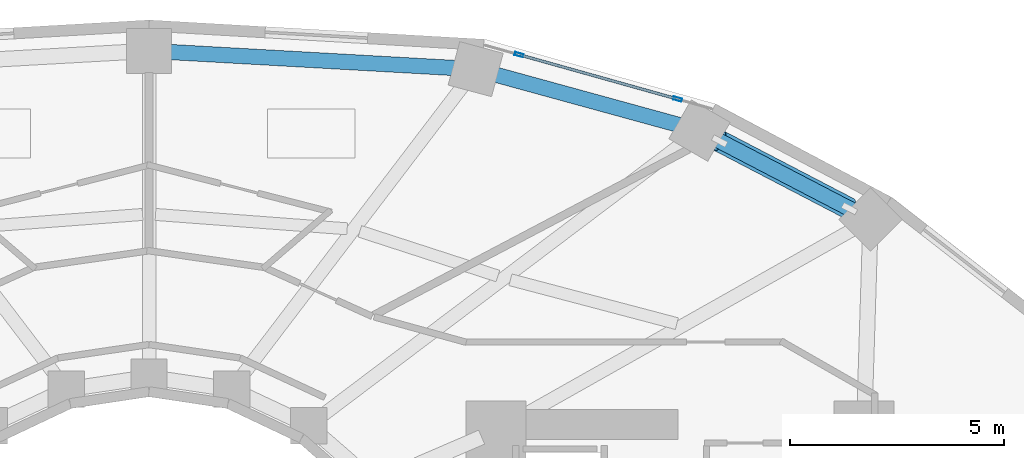
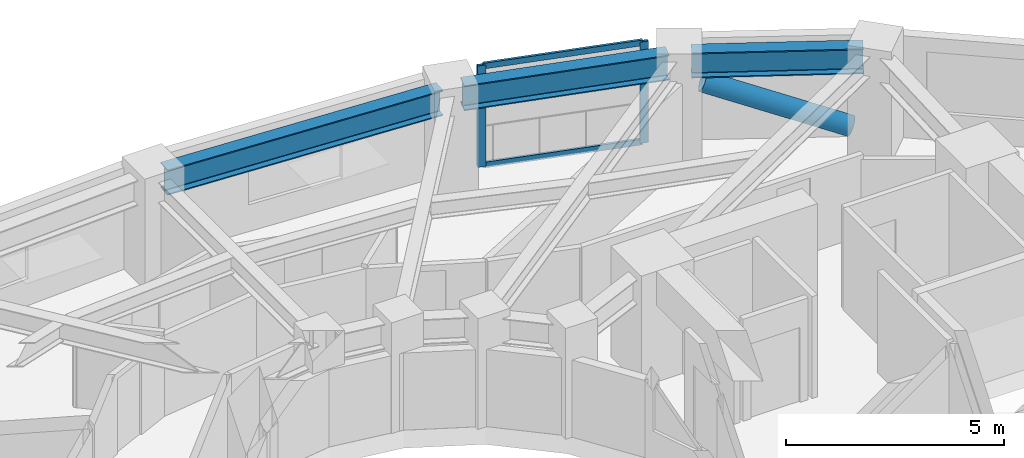
# One storey, part 9 of 18: 5 members, 3 beams, 1 element without a shape of its own.
"""IFC4 building model written with IfcOpenShell, lengths in metres."""

import ifcopenshell
import ifcopenshell.guid

model = None  # the IFC model being written
_history = None  # IfcOwnerHistory: only IFC2X3 demands one
_inside = {}  # id of a spatial element -> (the spatial element, [elements in it])
_under = {}  # id of a project, library or spatial element -> (it, [spatial elements below it])
_declared = {}  # id of a project -> (the project, [libraries it declares])
_typed = {}  # id of a type object -> (the type object, [elements of that type])
_made_of = {}  # id of a material, layer set ... -> (it, [elements and type objects made of it])


def new_model(schema):
    """Start an empty IFC model of exactly this schema.

    Asked for "IFC4X3", IfcOpenShell would pick the latest addendum, in which some entities
    have other attributes; the version numbers below select the first issue.
    IFC2X3 requires an IfcOwnerHistory on every rooted entity: one is made here for all.
    """
    global model, _history
    if schema == "IFC4X3":
        model = ifcopenshell.file(schema_version=(4, 3, 0, 0))
    else:
        model = ifcopenshell.file(schema=schema)
    _inside.clear()
    _under.clear()
    _declared.clear()
    _typed.clear()
    _made_of.clear()
    _history = None
    if model.schema == "IFC2X3":
        org = make("IfcOrganization", Name="unknown")
        user = make(
            "IfcPersonAndOrganization",
            ThePerson=make("IfcPerson", FamilyName="unknown"),
            TheOrganization=org,
        )
        app = make(
            "IfcApplication",
            ApplicationDeveloper=org,
            Version="unknown",
            ApplicationFullName="unknown",
            ApplicationIdentifier="unknown",
        )
        _history = make(
            "IfcOwnerHistory",
            OwningUser=user,
            OwningApplication=app,
            ChangeAction="ADDED",
            CreationDate=0,
        )
    return model


def make(cls, **values):
    """One entity of the class cls with the attributes given. An attribute that is None is left unset."""
    return model.create_entity(
        cls, **{name: value for name, value in values.items() if value is not None}
    )


def rooted(cls, **values):
    """An entity with a GlobalId (a new one), such as an element, a storey or a relation."""
    return make(cls, GlobalId=ifcopenshell.guid.new(), OwnerHistory=_history, **values)


def si_unit(unit_type, name, prefix=None):
    """IfcSIUnit, for example si_unit("LENGTHUNIT", "METRE", prefix="MILLI")."""
    return make("IfcSIUnit", UnitType=unit_type, Prefix=prefix, Name=name)


def assignment(units):
    """IfcUnitAssignment: the units of a project."""
    return None if units is None else make("IfcUnitAssignment", Units=units)


def point(xyz):
    """IfcCartesianPoint."""
    return None if xyz is None else make("IfcCartesianPoint", Coordinates=xyz)


def direction(xyz):
    """IfcDirection."""
    return None if xyz is None else make("IfcDirection", DirectionRatios=xyz)


def frame(location, z_axis=None, x_axis=None):
    """IfcAxis2Placement3D, a coordinate frame: its origin and axes. An axis left out is left unset."""
    return make(
        "IfcAxis2Placement3D",
        Location=point(location),
        Axis=direction(z_axis),
        RefDirection=direction(x_axis),
    )


def frame_2d(location, x_axis=None):
    """IfcAxis2Placement2D, a coordinate frame in the plane: its origin and x axis."""
    return make(
        "IfcAxis2Placement2D", Location=point(location), RefDirection=direction(x_axis)
    )


def origin():
    """The frame at (0, 0, 0) with its axes left unset."""
    return frame((0.0, 0.0, 0.0))


def origin_2d():
    """The frame at (0, 0) in the plane with its x axis left unset."""
    return frame_2d((0.0, 0.0))


def place(relative_to, where):
    """IfcLocalPlacement: puts the frame where relative to a parent placement (None: the world)."""
    return make(
        "IfcLocalPlacement", PlacementRelTo=relative_to, RelativePlacement=where
    )


def context(
    kind, dimensions, precision=None, world=None, true_north=None, identifier=None
):
    """IfcGeometricRepresentationContext, for example the 3D "Model" context."""
    return make(
        "IfcGeometricRepresentationContext",
        ContextIdentifier=identifier,
        ContextType=kind,
        CoordinateSpaceDimension=dimensions,
        Precision=precision,
        WorldCoordinateSystem=world,
        TrueNorth=true_north,
    )


def subcontext(parent, identifier, kind, view, scale=None):
    """IfcGeometricRepresentationSubContext, for example "Body" below "Model"."""
    return make(
        "IfcGeometricRepresentationSubContext",
        ContextIdentifier=identifier,
        ContextType=kind,
        ParentContext=parent,
        TargetScale=scale,
        TargetView=view,
    )


def project(units=None, contexts=None):
    """IfcProject with its units and contexts."""
    return rooted(
        "IfcProject",
        Name="project",
        RepresentationContexts=contexts,
        UnitsInContext=assignment(units),
    )


def spatial(cls, under=None, at=None, **own):
    """A site, building, storey or space (cls), placed at a placement, below another one or the project."""
    s = rooted(cls, ObjectPlacement=at, **own)
    if under is not None:
        _under.setdefault(under.id(), (under, []))[1].append(s)
    return s


def profile(cls, at=None, kind="AREA", **sizes):
    """A parametric profile (cls). Its sizes go by their IFC names, for example OverallWidth=200.0."""
    return make(cls, ProfileType=kind, Position=at, **sizes)


def hollow_rectangle(**sizes):
    """IfcRectangleHollowProfileDef."""
    return profile("IfcRectangleHollowProfileDef", **sizes)


def hollow_circle(**sizes):
    """IfcCircleHollowProfileDef."""
    return profile("IfcCircleHollowProfileDef", **sizes)


def i_section(**sizes):
    """IfcIShapeProfileDef."""
    return profile("IfcIShapeProfileDef", **sizes)


def extrude(swept, where, along, depth):
    """IfcExtrudedAreaSolid: the profile swept, set in the frame where, extruded along a direction by depth."""
    return make(
        "IfcExtrudedAreaSolid",
        SweptArea=swept,
        Position=where,
        ExtrudedDirection=direction(along),
        Depth=depth,
    )


def shape(context_of_items, identifier, shape_type, items):
    """IfcShapeRepresentation: the items that make up one representation, for example the "Body"."""
    return make(
        "IfcShapeRepresentation",
        ContextOfItems=context_of_items,
        RepresentationIdentifier=identifier,
        RepresentationType=shape_type,
        Items=items,
    )


def material(Name=None, Category=None):
    """IfcMaterial."""
    return make("IfcMaterial", Name=Name, Category=Category)


def layer(
    of_material, thickness, ventilated=None, Name=None, Category=None, Priority=None
):
    """IfcMaterialLayer: one layer of a wall or slab, of a material (None: an air gap)."""
    return make(
        "IfcMaterialLayer",
        Material=of_material,
        LayerThickness=thickness,
        IsVentilated=ventilated,
        Name=Name,
        Category=Category,
        Priority=Priority,
    )


def layer_set(layers, Name=None):
    """IfcMaterialLayerSet."""
    return make("IfcMaterialLayerSet", MaterialLayers=layers, LayerSetName=Name)


def material_profile(
    of_material, cross_section, Name=None, Category=None, Priority=None
):
    """IfcMaterialProfile: a cross section and its material."""
    return make(
        "IfcMaterialProfile",
        Name=Name,
        Material=of_material,
        Profile=cross_section,
        Priority=Priority,
        Category=Category,
    )


def profile_set(profiles, Name=None, composite=None):
    """IfcMaterialProfileSet."""
    return make(
        "IfcMaterialProfileSet",
        Name=Name,
        MaterialProfiles=profiles,
        CompositeProfile=composite,
    )


def made_of(thing, what):
    """Note that an element or type object is made of a material, layer set ...; save() writes the relation."""
    if what is not None:
        _made_of.setdefault(what.id(), (what, []))[1].append(thing)
    return thing


def type_object(cls, material=None, **own):
    """A type object (cls), such as IfcWallType, which elements share."""
    return made_of(rooted(cls, **own), material)


def element(
    cls,
    number,
    at=None,
    inside=None,
    cuts=None,
    type_object=None,
    material=None,
    context=None,
    identifier="Body",
    shape_type=None,
    held_by="IfcProductDefinitionShape",
    body=None,
    shapes=None,
    **own,
):
    """One element of the class cls, such as IfcWall. Its Tag is "e" and its number.

    at: its placement. inside: the storey or other place that contains it. cuts: it is an
    opening in that element (IfcRelVoidsElement). A single representation is given by context,
    identifier, shape_type and body (its items); several are given by shapes. held_by: the class
    of the entity that holds the representations. save() writes the other relations.
    """
    e = rooted(cls, Tag="e%d" % number, ObjectPlacement=at, **own)
    if body is not None:
        shapes = [shape(context, identifier, shape_type, body)]
    if shapes is not None:
        e.Representation = make(held_by, Representations=shapes)
    if inside is not None:
        _inside.setdefault(inside.id(), (inside, []))[1].append(e)
    if cuts is not None:
        rooted(
            "IfcRelVoidsElement", RelatingBuildingElement=cuts, RelatedOpeningElement=e
        )
    if type_object is not None:
        _typed.setdefault(type_object.id(), (type_object, []))[1].append(e)
    return made_of(e, material)


def aggregate(whole, parts):
    """IfcRelAggregates: a whole, such as a stair, and the parts it consists of."""
    return rooted("IfcRelAggregates", RelatingObject=whole, RelatedObjects=parts)


def save(model, path):
    """Write the relations noted so far, then the file.

    IfcRelAggregates (storeys below a building ...), IfcRelContainedInSpatialStructure (elements
    in a storey), IfcRelDefinesByType, IfcRelAssociatesMaterial and IfcRelDeclares: one each for
    every whole, place, type object, material and project.
    """
    for whole, parts in _under.values():
        aggregate(whole, parts)
    for where, things in _inside.values():
        rooted(
            "IfcRelContainedInSpatialStructure",
            RelatedElements=things,
            RelatingStructure=where,
        )
    for kind, things in _typed.values():
        rooted("IfcRelDefinesByType", RelatedObjects=things, RelatingType=kind)
    for what, things in _made_of.values():
        rooted("IfcRelAssociatesMaterial", RelatedObjects=things, RelatingMaterial=what)
    for by, libraries in _declared.values():
        rooted("IfcRelDeclares", RelatingContext=by, RelatedDefinitions=libraries)
    model.write(path)


model = new_model("IFC4")

# Units and contexts
model_context = context("Model", 3, precision=1e-05, world=origin(), true_north=direction((0.0, 1.0)))
body_context = subcontext(model_context, "Body", "Model", "MODEL_VIEW")
ifc_project = project(units=[si_unit("LENGTHUNIT", "METRE"), si_unit("AREAUNIT", "SQUARE_METRE"), si_unit("VOLUMEUNIT", "CUBIC_METRE"), si_unit("PLANEANGLEUNIT", "RADIAN"), si_unit("MASSUNIT", "GRAM", prefix="KILO")], contexts=[model_context])

# Site, building, storey
site_placement = place(None, origin())
site = spatial("IfcSite", under=ifc_project, at=site_placement, CompositionType="ELEMENT")
building_placement = place(site_placement, origin())
building = spatial("IfcBuilding", under=site, at=building_placement, Name="Solvane Sanctuary Tower", CompositionType="ELEMENT")
storey_placement = place(building_placement, frame((0.0, 0.0, 94.89990234375)))
storey = spatial("IfcBuildingStorey", under=building, at=storey_placement, Name="L28", CompositionType="ELEMENT", Elevation=94.89990234375)

# Beams
ifc_material_1 = material(Name="Steel ASTM A992 Grade 50", Category="steel")
ifc_material_profile_1 = material_profile(ifc_material_1, i_section(OverallWidth=0.35791015625, OverallDepth=0.7060546875, WebThickness=0.018310546875, FlangeThickness=0.0302734375, FilletRadius=0.01806640625, at=origin_2d()), Name="W27X178")
ifc_profile_set_1 = profile_set([ifc_material_profile_1], Name="Steel ASTM A992 Grade 50")
beam_type = type_object("IfcBeamType", Name="Beam B-SPAND-Z2 W27X178", PredefinedType="SPANDREL", material=ifc_profile_set_1)
beam_1_placement = place(storey_placement, frame((32.279541015625, 39.064208984375, 2.525146484375), z_axis=(0.998431364179, -0.055989383129, 0.0), x_axis=(0.055989383129, 0.998431364179, 0.0)))
element("IfcBeam", 1, at=beam_1_placement, inside=storey, type_object=beam_type, Name="L28 Perimeter Spandrel Beam TC04-TC03", PredefinedType="SPANDREL", context=body_context, shape_type="SweptSolid", body=[
    extrude(i_section(OverallWidth=0.35791015625, OverallDepth=0.7060546875, WebThickness=0.018310546875, FlangeThickness=0.0302734375, FilletRadius=0.01806640625, at=origin_2d()), origin(), (0.0, 0.0, 1.0), 7.081298828125),
])
beam_2_placement = place(storey_placement, frame((39.8994140625, 38.577880859375, 2.525146484375), z_axis=(0.964367605241, -0.26456591232, 0.0), x_axis=(0.26456591232, 0.964367605241, 0.0)))
element("IfcBeam", 2, at=beam_2_placement, inside=storey, type_object=beam_type, Name="L28 Perimeter Spandrel Beam TC03-TC02", PredefinedType="SPANDREL", context=body_context, shape_type="SweptSolid", body=[
    extrude(i_section(OverallWidth=0.35791015625, OverallDepth=0.7060546875, WebThickness=0.018310546875, FlangeThickness=0.0302734375, FilletRadius=0.01806640625, at=origin_2d()), origin(), (0.0, 0.0, 1.0), 4.8623046875),
])
beam_3_placement = place(storey_placement, frame((45.106689453125, 37.088134765625, 2.525146484375), z_axis=(0.887014995188, -0.461740618002, 0.0), x_axis=(0.461740618002, 0.887014995188, 0.0)))
element("IfcBeam", 3, at=beam_3_placement, inside=storey, type_object=beam_type, Name="L28 Perimeter Spandrel Beam TC02-TC01", PredefinedType="SPANDREL", context=body_context, shape_type="SweptSolid", body=[
    extrude(i_section(OverallWidth=0.35791015625, OverallDepth=0.7060546875, WebThickness=0.018310546875, FlangeThickness=0.0302734375, FilletRadius=0.01806640625, at=origin_2d()), origin(), (0.0, 0.0, 1.0), 3.943359375),
])

# Curtain wall, members
ifc_material_2 = material(Name="Anodised Aluminium 6063-T6", Category="aluminium")
ifc_layer = layer(ifc_material_2, 0.179931640625, Name="Anodised Aluminium 6063-T6")
ifc_layer_set = layer_set([ifc_layer], Name="Anodised Aluminium 6063-T6")
curtain_wall_type = type_object("IfcCurtainWallType", Name="Curtain Wall CW-FRIT-Z2", PredefinedType="NOTDEFINED", material=ifc_layer_set)
curtain_wall_placement = place(storey_placement, origin())
curtain_wall = element("IfcCurtainWall", 4, at=curtain_wall_placement, inside=storey, type_object=curtain_wall_type, Name="L28 CW-FRIT-Z2 Facade Run 04", PredefinedType="NOTDEFINED")
ifc_material_profile_2 = material_profile(ifc_material_2, hollow_rectangle(XDim=0.074951171875, YDim=0.199951171875, WallThickness=0.00390625, at=origin_2d()), Name="ALU200X75X4")
ifc_profile_set_2 = profile_set([ifc_material_profile_2], Name="Anodised Aluminium 6063-T6")
member_type_1 = type_object("IfcMemberType", Name="Member M-CW-MUL-1 ALU200X75X4", PredefinedType="MULLION", material=ifc_profile_set_2)
member_1_placement = place(storey_placement, frame((44.34765625, 37.952392578125, 0.0), z_axis=(0.0, 0.0, 1.0), x_axis=(-0.269704615814, -0.962943103308, 0.0)))
member_1 = element("IfcMember", 5, at=member_1_placement, type_object=member_type_1, Name="CW-FRIT-Z2 mullion 1", PredefinedType="MULLION", context=body_context, shape_type="SweptSolid", body=[
    extrude(hollow_rectangle(XDim=0.074951171875, YDim=0.199951171875, WallThickness=0.00390625, at=origin_2d()), origin(), (0.0, 0.0, 1.0), 2.840087890625),
])
member_2_placement = place(storey_placement, frame((40.64208984375, 38.990478515625, 0.0), z_axis=(0.0, 0.0, 1.0), x_axis=(-0.269704615814, -0.962943103308, 0.0)))
member_2 = element("IfcMember", 6, at=member_2_placement, type_object=member_type_1, Name="CW-FRIT-Z2 mullion 2", PredefinedType="MULLION", context=body_context, shape_type="SweptSolid", body=[
    extrude(hollow_rectangle(XDim=0.074951171875, YDim=0.199951171875, WallThickness=0.00390625, at=origin_2d()), origin(), (0.0, 0.0, 1.0), 2.840087890625),
])
ifc_material_profile_3 = material_profile(ifc_material_2, hollow_rectangle(XDim=0.06494140625, YDim=0.159912109375, WallThickness=0.00341796875, at=origin_2d()), Name="ALU160X65X3.5")
ifc_profile_set_3 = profile_set([ifc_material_profile_3], Name="Anodised Aluminium 6063-T6")
member_type_2 = type_object("IfcMemberType", Name="Member M-CW-TRN-1 ALU160X65X3.5", PredefinedType="USERDEFINED", material=ifc_profile_set_3)
member_3_placement = place(storey_placement, frame((44.3115234375, 37.962646484375, 0.03271484375), z_axis=(-0.9629465453, 0.269692326355, 0.0), x_axis=(-0.269692326355, -0.9629465453, 0.0)))
member_3 = element("IfcMember", 7, at=member_3_placement, type_object=member_type_2, Name="CW-FRIT-Z2 transom 1.1", ObjectType="TRANSOM", PredefinedType="USERDEFINED", context=body_context, shape_type="SweptSolid", body=[
    extrude(hollow_rectangle(XDim=0.06494140625, YDim=0.159912109375, WallThickness=0.00341796875, at=origin_2d()), origin(), (0.0, 0.0, 1.0), 3.773193359375),
])
member_4_placement = place(storey_placement, frame((44.3115234375, 37.962646484375, 2.8076171875), z_axis=(-0.9629465453, 0.269692326355, 0.0), x_axis=(-0.269692326355, -0.9629465453, 0.0)))
member_4 = element("IfcMember", 8, at=member_4_placement, type_object=member_type_2, Name="CW-FRIT-Z2 transom 1.2", ObjectType="TRANSOM", PredefinedType="USERDEFINED", context=body_context, shape_type="SweptSolid", body=[
    extrude(hollow_rectangle(XDim=0.06494140625, YDim=0.159912109375, WallThickness=0.00341796875, at=origin_2d()), origin(), (0.0, 0.0, 1.0), 3.773193359375),
])
aggregate(curtain_wall, [member_1, member_2, member_3, member_4])

# Member
ifc_material_profile_4 = material_profile(ifc_material_1, hollow_circle(Radius=0.25390625, WallThickness=0.01611328125, at=origin_2d()), Name="CHS508X16")
ifc_profile_set_4 = profile_set([ifc_material_profile_4], Name="Steel ASTM A992 Grade 50")
member_type_3 = type_object("IfcMemberType", Name="Member M-TUBE-Z2 CHS508X16", PredefinedType="BRACE", material=ifc_profile_set_4)
member_5_placement = place(storey_placement, frame((48.3564453125, 35.396484375, 0.602783203125), z_axis=(-0.824140553465, 0.429072126665, 0.369715374651), x_axis=(-0.461792399626, -0.886988038052, 0.0)))
element("IfcMember", 9, at=member_5_placement, inside=storey, type_object=member_type_3, Name="L28 Perimeter Braced-Tube Diagonal NE", PredefinedType="BRACE", context=body_context, shape_type="SweptSolid", body=[
    extrude(hollow_circle(Radius=0.25390625, WallThickness=0.01611328125, at=origin_2d()), origin(), (0.0, 0.0, 1.0), 3.6689453125),
])

save(model, "model.ifc")
